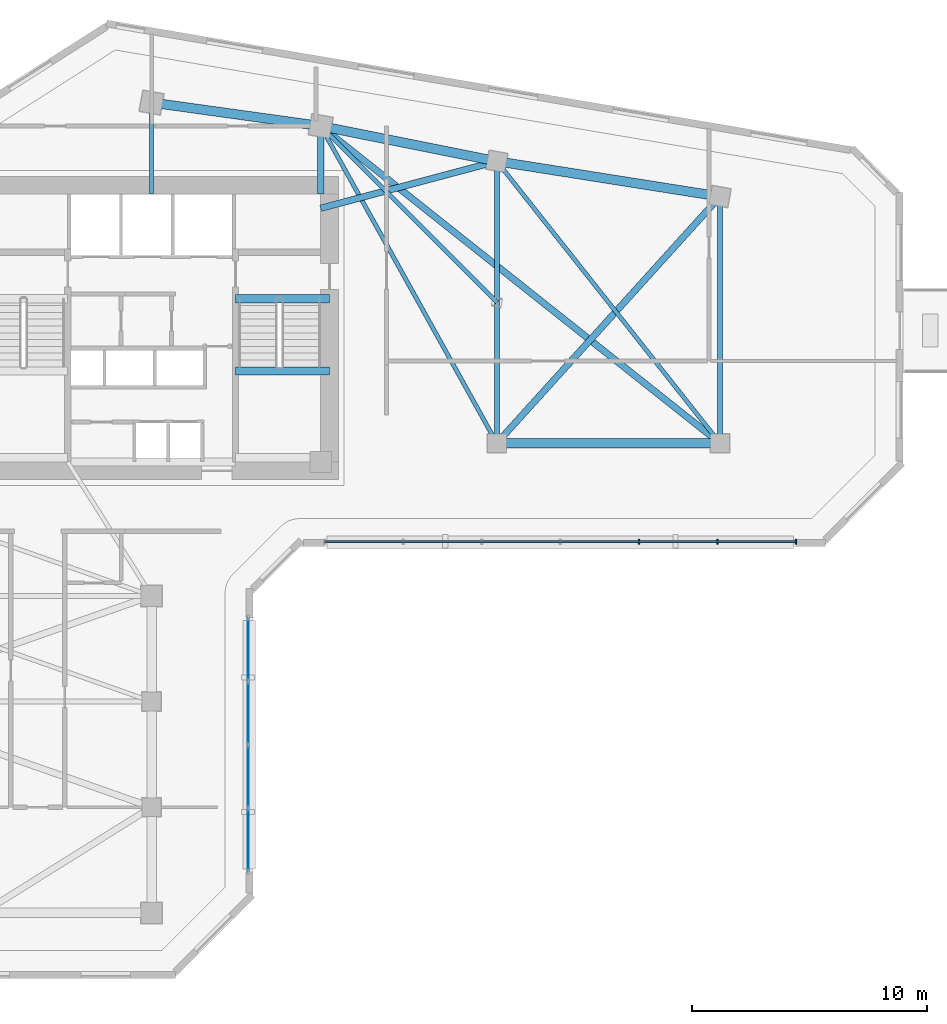
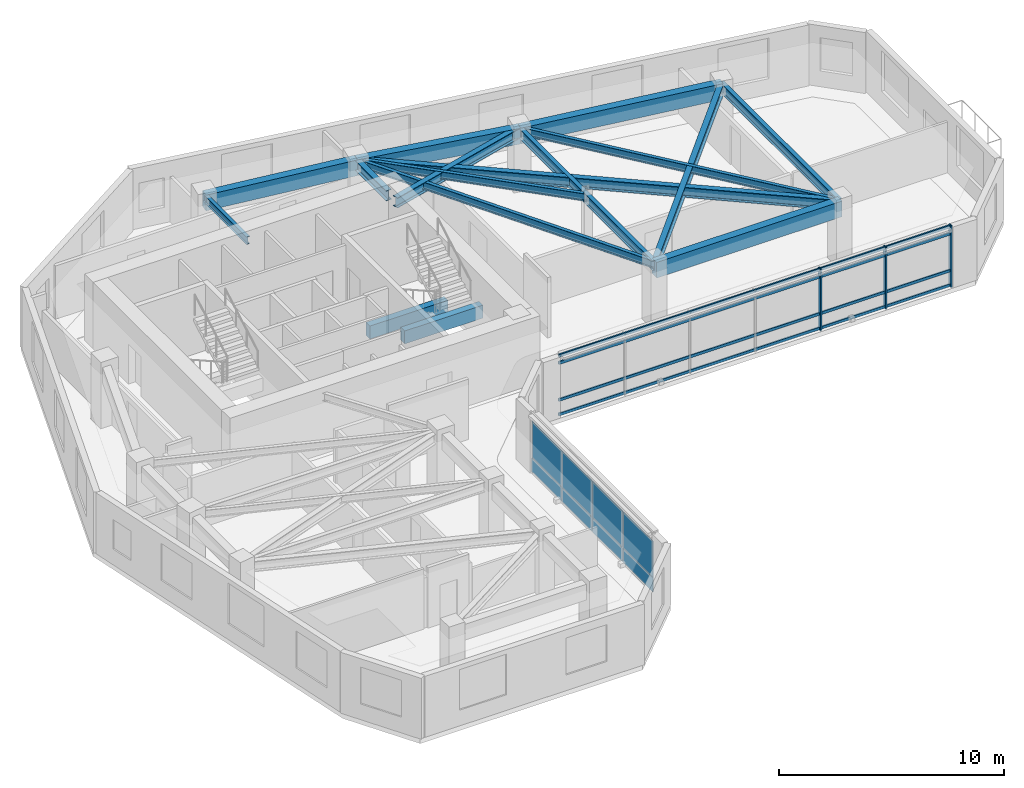
# One storey, part 3 of 10: 16 beams, 8 plates, 7 members, 2 elements without a shape of their own.
"""IFC4 building model written with IfcOpenShell, lengths in metres."""

from ifc_helpers import new_model, si_unit, direction, frame, frame_2d, origin, origin_2d, place, context, subcontext, project, spatial, rectangle, i_section, extrude, source, transform, mapped, material, layer, layer_set, material_profile, profile_set, type_object, element, aggregate, save


model = new_model("IFC4")

# Units and contexts
model_context = context("Model", 3, precision=1e-05, world=origin(), true_north=direction((0.0, 1.0)))
body_context = subcontext(model_context, "Body", "Model", "MODEL_VIEW")
ifc_project = project(units=[si_unit("LENGTHUNIT", "METRE"), si_unit("AREAUNIT", "SQUARE_METRE"), si_unit("VOLUMEUNIT", "CUBIC_METRE"), si_unit("PLANEANGLEUNIT", "RADIAN"), si_unit("MASSUNIT", "GRAM", prefix="KILO")], contexts=[model_context])

# Site, building, storey
site_placement = place(None, origin())
site = spatial("IfcSite", under=ifc_project, at=site_placement, CompositionType="ELEMENT")
building_placement = place(site_placement, origin())
building = spatial("IfcBuilding", under=site, at=building_placement, Name="Calvemar Wedge Station Tower", CompositionType="ELEMENT")
storey_placement = place(building_placement, frame((0.0, 0.0, 168.199951171875)))
storey = spatial("IfcBuildingStorey", under=building, at=storey_placement, Name="L42", CompositionType="ELEMENT", Elevation=168.199951171875)

# Beams
ifc_material_1 = material(Name="Concrete C60", Category="concrete")
ifc_material_profile_1 = material_profile(ifc_material_1, rectangle(XDim=0.39990234375, YDim=0.85009765625, at=origin_2d()), Name="RC400x850")
ifc_profile_set_1 = profile_set([ifc_material_profile_1], Name="Concrete C60")
beam_type_1 = type_object("IfcBeamType", Name="BM-SP1-850", PredefinedType="SPANDREL", material=ifc_profile_set_1)
shared_shape_1 = source(origin(), body_context, "Body", "SweptSolid", [
    extrude(rectangle(XDim=0.39990234375, YDim=0.85009765625, at=origin_2d()), origin(), (0.0, 0.0, 1.0), 7.26904296875),
])
beam_1_placement = place(storey_placement, frame((23.800048828125, 49.5, 2.875), z_axis=(0.990492146053, -0.13756928657, 0.0), x_axis=(0.13756928657, 0.990492146053, 0.0)))
element("IfcBeam", 1, at=beam_1_placement, inside=storey, type_object=beam_type_1, Name="Storey L42 Spandrel T-N1-T-N2", PredefinedType="SPANDREL", context=body_context, shape_type="MappedRepresentation", body=[
    mapped(shared_shape_1, transform((0.0, 0.0, 0.0), scale=1.0)),
])
shared_shape_2 = source(origin(), body_context, "Body", "SweptSolid", [
    extrude(rectangle(XDim=0.39990234375, YDim=0.85009765625, at=origin_2d()), origin(), (0.0, 0.0, 1.0), 7.6484375),
])
beam_2_placement = place(storey_placement, frame((31.0, 48.5, 2.875), z_axis=(0.980580675691, -0.196116135138, 0.0), x_axis=(0.196116135138, 0.980580675691, 0.0)))
element("IfcBeam", 2, at=beam_2_placement, inside=storey, type_object=beam_type_1, Name="Storey L42 Spandrel T-N2-T-NU3", PredefinedType="SPANDREL", context=body_context, shape_type="MappedRepresentation", body=[
    mapped(shared_shape_2, transform((0.0, 0.0, 0.0), scale=1.0)),
])
shared_shape_3 = source(origin(), body_context, "Body", "SweptSolid", [
    extrude(rectangle(XDim=0.39990234375, YDim=0.85009765625, at=origin_2d()), origin(), (0.0, 0.0, 1.0), 9.61767578125),
])
beam_3_placement = place(storey_placement, frame((38.5, 47.0, 2.875), z_axis=(0.987762965329, -0.155962573473, 0.0), x_axis=(0.155962573473, 0.987762965329, 0.0)))
element("IfcBeam", 3, at=beam_3_placement, inside=storey, type_object=beam_type_1, Name="Storey L42 Spandrel T-NU3-T-NU4", PredefinedType="SPANDREL", context=body_context, shape_type="MappedRepresentation", body=[
    mapped(shared_shape_3, transform((0.0, 0.0, 0.0), scale=1.0)),
])
shared_shape_4 = source(origin(), body_context, "Body", "SweptSolid", [
    extrude(rectangle(XDim=0.39990234375, YDim=0.85009765625, at=origin_2d()), origin(), (0.0, 0.0, 1.0), 9.5),
])
beam_4_placement = place(storey_placement, frame((38.5, 35.0, 2.875), z_axis=(1.0, 0.0, 0.0), x_axis=(0.0, 1.0, 0.0)))
element("IfcBeam", 4, at=beam_4_placement, inside=storey, type_object=beam_type_1, Name="Storey L42 Spandrel T-NL2-T-NL3", PredefinedType="SPANDREL", context=body_context, shape_type="MappedRepresentation", body=[
    mapped(shared_shape_4, transform((0.0, 0.0, 0.0), scale=1.0)),
])
ifc_material_2 = material(Name="Structural steel ASTM A572 Grade 50", Category="steel")
ifc_material_profile_2 = material_profile(ifc_material_2, i_section(OverallWidth=0.177978515625, OverallDepth=0.406982421875, WebThickness=0.0078125, FlangeThickness=0.0126953125, FilletRadius=0.010009765625, at=origin_2d()), Name="W410x60")
ifc_profile_set_2 = profile_set([ifc_material_profile_2], Name="Structural steel ASTM A572 Grade 50")
beam_type_2 = type_object("IfcBeamType", Name="BM-J3-W410", PredefinedType="JOIST", material=ifc_profile_set_2)
shared_shape_5 = source(origin(), body_context, "Body", "SweptSolid", [
    extrude(i_section(OverallWidth=0.177978515625, OverallDepth=0.406982421875, WebThickness=0.0078125, FlangeThickness=0.0126953125, FilletRadius=0.010009765625, at=origin_2d()), origin(), (0.0, 0.0, 1.0), 15.443359375),
])
beam_5_placement = place(storey_placement, frame((31.0, 48.5, 3.096435546875), z_axis=(0.485642931179, -0.874157276122, 0.0), x_axis=(0.874157276122, 0.485642931179, 0.0)))
element("IfcBeam", 5, at=beam_5_placement, inside=storey, type_object=beam_type_2, Name="Storey L42 Floor Beam T-N2-T-NL2", PredefinedType="JOIST", context=body_context, shape_type="MappedRepresentation", body=[
    mapped(shared_shape_5, transform((0.0, 0.0, 0.0), scale=1.0)),
])
ifc_material_profile_3 = material_profile(ifc_material_2, i_section(OverallWidth=0.279052734375, OverallDepth=0.553955078125, WebThickness=0.017578125, FlangeThickness=0.029541015625, FilletRadius=0.014892578125, at=origin_2d()), Name="W530x196")
ifc_profile_set_3 = profile_set([ifc_material_profile_3], Name="Structural steel ASTM A572 Grade 50")
beam_type_3 = type_object("IfcBeamType", Name="BM-SB3-W530H", PredefinedType="BEAM", material=ifc_profile_set_3)
shared_shape_6 = source(origin(), body_context, "Body", "SweptSolid", [
    extrude(i_section(OverallWidth=0.279052734375, OverallDepth=0.553955078125, WebThickness=0.017578125, FlangeThickness=0.029541015625, FilletRadius=0.014892578125, at=origin_2d()), origin(), (0.0, 0.0, 1.0), 21.708251953125),
])
beam_6_placement = place(storey_placement, frame((31.0, 48.5, 3.02294921875), z_axis=(0.783110847498, -0.621882143602, 0.0), x_axis=(0.621882143602, 0.783110847498, 0.0)))
element("IfcBeam", 6, at=beam_6_placement, inside=storey, type_object=beam_type_3, Name="Storey L42 Floor Beam T-N2-T-NL3", PredefinedType="BEAM", context=body_context, shape_type="MappedRepresentation", body=[
    mapped(shared_shape_6, transform((0.0, 0.0, 0.0), scale=1.0)),
])
shared_shape_7 = source(origin(), body_context, "Body", "SweptSolid", [
    extrude(i_section(OverallWidth=0.177978515625, OverallDepth=0.406982421875, WebThickness=0.0078125, FlangeThickness=0.0126953125, FilletRadius=0.010009765625, at=origin_2d()), origin(), (0.0, 0.0, 1.0), 15.30517578125),
])
beam_7_placement = place(storey_placement, frame((38.5, 47.0, 3.096435546875), z_axis=(0.620702944366, -0.784045824462, 0.0), x_axis=(0.784045824462, 0.620702944366, 0.0)))
element("IfcBeam", 7, at=beam_7_placement, inside=storey, type_object=beam_type_2, Name="Storey L42 Floor Beam T-NU3-T-NL3", PredefinedType="JOIST", context=body_context, shape_type="MappedRepresentation", body=[
    mapped(shared_shape_7, transform((0.0, 0.0, 0.0), scale=1.0)),
])
shared_shape_8 = source(origin(), body_context, "Body", "SweptSolid", [
    extrude(i_section(OverallWidth=0.279052734375, OverallDepth=0.553955078125, WebThickness=0.017578125, FlangeThickness=0.029541015625, FilletRadius=0.014892578125, at=origin_2d()), origin(), (0.0, 0.0, 1.0), 14.159912109375),
])
beam_8_placement = place(storey_placement, frame((38.5, 35.0, 3.02294921875), z_axis=(0.670913323969, 0.741535779124, 0.0), x_axis=(-0.741535779124, 0.670913323969, 0.0)))
element("IfcBeam", 8, at=beam_8_placement, inside=storey, type_object=beam_type_3, Name="Storey L42 Floor Beam T-NL2-T-NU4", PredefinedType="BEAM", context=body_context, shape_type="MappedRepresentation", body=[
    mapped(shared_shape_8, transform((0.0, 0.0, 0.0), scale=1.0)),
])
shared_shape_9 = source(origin(), body_context, "Body", "SweptSolid", [
    extrude(i_section(OverallWidth=0.279052734375, OverallDepth=0.553955078125, WebThickness=0.017578125, FlangeThickness=0.029541015625, FilletRadius=0.014892578125, at=origin_2d()), origin(), (0.0, 0.0, 1.0), 7.76220703125),
])
beam_9_placement = place(storey_placement, frame((31.0, 45.0, 3.02294921875), z_axis=(0.966234939601, 0.25766265056, 0.0), x_axis=(-0.25766265056, 0.966234939601, 0.0)))
element("IfcBeam", 9, at=beam_9_placement, inside=storey, type_object=beam_type_3, Name="Storey L42 Core-to-Column Joist CJ-E2", PredefinedType="BEAM", context=body_context, shape_type="MappedRepresentation", body=[
    mapped(shared_shape_9, transform((0.0, 0.0, 0.0), scale=1.0)),
])
shared_shape_10 = source(origin(), body_context, "Body", "SweptSolid", [
    extrude(i_section(OverallWidth=0.177978515625, OverallDepth=0.406982421875, WebThickness=0.0078125, FlangeThickness=0.0126953125, FilletRadius=0.010009765625, at=origin_2d()), origin(), (0.0, 0.0, 1.0), 3.89990234375),
])
beam_10_placement = place(storey_placement, frame((23.800048828125, 45.60009765625, 3.096435546875), z_axis=(0.0, 1.0, 0.0), x_axis=(-1.0, 0.0, 0.0)))
element("IfcBeam", 10, at=beam_10_placement, inside=storey, type_object=beam_type_2, Name="Storey L42 Core-to-Column Joist CJ-N1", PredefinedType="JOIST", context=body_context, shape_type="MappedRepresentation", body=[
    mapped(shared_shape_10, transform((0.0, 0.0, 0.0), scale=1.0)),
])
shared_shape_11 = source(origin(), body_context, "Body", "SweptSolid", [
    extrude(i_section(OverallWidth=0.279052734375, OverallDepth=0.553955078125, WebThickness=0.017578125, FlangeThickness=0.029541015625, FilletRadius=0.014892578125, at=origin_2d()), origin(), (0.0, 0.0, 1.0), 2.89990234375),
])
beam_11_placement = place(storey_placement, frame((31.0, 45.60009765625, 3.02294921875), z_axis=(0.0, 1.0, 0.0), x_axis=(-1.0, 0.0, 0.0)))
element("IfcBeam", 11, at=beam_11_placement, inside=storey, type_object=beam_type_3, Name="Storey L42 Core-to-Column Joist CJ-N2", PredefinedType="BEAM", context=body_context, shape_type="MappedRepresentation", body=[
    mapped(shared_shape_11, transform((0.0, 0.0, 0.0), scale=1.0)),
])
ifc_material_3 = material(Name="Concrete C70", Category="concrete")
ifc_material_profile_4 = material_profile(ifc_material_3, rectangle(XDim=0.35009765625, YDim=0.699951171875, at=origin_2d()), Name="RC350x700")
ifc_profile_set_4 = profile_set([ifc_material_profile_4], Name="Concrete C70")
beam_type_4 = type_object("IfcBeamType", Name="BM-LN1-700", PredefinedType="LINTEL", material=ifc_profile_set_4)
shared_shape_12 = source(origin(), body_context, "Body", "SweptSolid", [
    extrude(rectangle(XDim=0.35009765625, YDim=0.699951171875, at=origin_2d()), origin(), (0.0, 0.0, 1.0), 4.0048828125),
])
for number, where, z_axis, x_axis, name in (
    (12, (27.3701171875, 41.14990234375, -0.349853515625), (1.0, 0.0, 0.0), (0.0, 1.0, 0.0), "Storey L42 Stair ST-C2 Landing Trimmer Beam"),
    (13, (27.3701171875, 38.070068359375, 1.25), (1.0, 0.0, 0.0), (0.0, 1.0, 0.0), "Storey L42 Stair ST-C2 Half-Landing Beam 1B"),
):
    element("IfcBeam", number, at=place(storey_placement, frame(where, z_axis=z_axis, x_axis=x_axis)), inside=storey, type_object=beam_type_4, Name=name, PredefinedType="LINTEL", context=body_context, shape_type="MappedRepresentation", body=[
        mapped(shared_shape_12, transform((0.0, 0.0, 0.0), scale=1.0)),
    ])
ifc_material_profile_5 = material_profile(ifc_material_2, i_section(OverallWidth=0.2109375, OverallDepth=0.5390625, WebThickness=0.01171875, FlangeThickness=0.018798828125, FilletRadius=0.012939453125, at=origin_2d()), Name="W530x109")
ifc_profile_set_5 = profile_set([ifc_material_profile_5], Name="Structural steel ASTM A572 Grade 50")
beam_type_5 = type_object("IfcBeamType", Name="BM-SB4-W530", PredefinedType="BEAM", material=ifc_profile_set_5)
shared_shape_13 = source(origin(), body_context, "Body", "SweptSolid", [
    extrude(i_section(OverallWidth=0.2109375, OverallDepth=0.5390625, WebThickness=0.01171875, FlangeThickness=0.018798828125, FilletRadius=0.012939453125, at=origin_2d()), origin(), (0.0, 0.0, 1.0), 12.0),
])
beam_12_placement = place(storey_placement, frame((38.5, 47.0, 3.030517578125), z_axis=(0.0, -1.0, 0.0), x_axis=(1.0, 0.0, 0.0)))
element("IfcBeam", 14, at=beam_12_placement, inside=storey, type_object=beam_type_5, Name="Storey L42 Floor Beam T-NU3-T-NL2", PredefinedType="BEAM", context=body_context, shape_type="MappedRepresentation", body=[
    mapped(shared_shape_13, transform((0.0, 0.0, 0.0), scale=1.0)),
])
shared_shape_14 = source(origin(), body_context, "Body", "SweptSolid", [
    extrude(i_section(OverallWidth=0.2109375, OverallDepth=0.5390625, WebThickness=0.01171875, FlangeThickness=0.018798828125, FilletRadius=0.012939453125, at=origin_2d()), origin(), (0.0, 0.0, 1.0), 10.5),
])
beam_13_placement = place(storey_placement, frame((48.0, 45.5, 3.030517578125), z_axis=(0.0, -1.0, 0.0), x_axis=(1.0, 0.0, 0.0)))
element("IfcBeam", 15, at=beam_13_placement, inside=storey, type_object=beam_type_5, Name="Storey L42 Floor Beam T-NU4-T-NL3", PredefinedType="BEAM", context=body_context, shape_type="MappedRepresentation", body=[
    mapped(shared_shape_14, transform((0.0, 0.0, 0.0), scale=1.0)),
])
shared_shape_15 = source(origin(), body_context, "Body", "SweptSolid", [
    extrude(i_section(OverallWidth=0.177978515625, OverallDepth=0.406982421875, WebThickness=0.0078125, FlangeThickness=0.0126953125, FilletRadius=0.010009765625, at=origin_2d()), origin(), (0.0, 0.0, 1.0), 10.606689453125),
])
beam_14_placement = place(storey_placement, frame((38.5, 41.0, 3.096435546875), z_axis=(-0.707106781187, 0.707106781187, 0.0), x_axis=(-0.707106781187, -0.707106781187, 0.0)))
element("IfcBeam", 16, at=beam_14_placement, inside=storey, type_object=beam_type_2, Name="Storey L42 Floor Beam T-NTIP-B-T-N2", PredefinedType="JOIST", context=body_context, shape_type="MappedRepresentation", body=[
    mapped(shared_shape_15, transform((0.0, 0.0, 0.0), scale=1.0)),
])

# Curtain wall, members
ifc_material_4 = material(Name="Anodised aluminium 6063-T6", Category="aluminium")
curtain_wall_type = type_object("IfcCurtainWallType", Name="CW2", PredefinedType="NOTDEFINED", material=ifc_material_4)
curtain_wall_1_placement = place(storey_placement, origin())
curtain_wall_1 = element("IfcCurtainWall", 17, at=curtain_wall_1_placement, inside=storey, type_object=curtain_wall_type, Name="Storey L42 CW2 Recessed Unitised Curtain Wall 6", PredefinedType="NOTDEFINED")
ifc_material_profile_6 = material_profile(ifc_material_4, rectangle(XDim=0.074951171875, YDim=0.219970703125, at=origin_2d()), Name="AL-MUL-75x220")
ifc_profile_set_6 = profile_set([ifc_material_profile_6], Name="Anodised aluminium 6063-T6")
member_type_1 = type_object("IfcMemberType", Name="CW2-MUL", PredefinedType="MULLION", material=ifc_profile_set_6)
shared_shape_16 = source(origin(), body_context, "Body", "SweptSolid", [
    extrude(rectangle(XDim=0.074951171875, YDim=0.219970703125, at=origin_2d()), origin(), (0.0, 0.0, 1.0), 3.35009765625),
])
member_1_placement = place(storey_placement, frame((44.547119140625, 30.802001953125, -0.050048828125), z_axis=(0.0, 0.0, 1.0), x_axis=(1.0, 0.0, 0.0)))
member_1 = element("IfcMember", 18, at=member_1_placement, type_object=member_type_1, Name="CW2 mullion 5", PredefinedType="MULLION", context=body_context, shape_type="MappedRepresentation", body=[
    mapped(shared_shape_16, transform((0.0, 0.0, 0.0), scale=1.0)),
])
member_2_placement = place(storey_placement, frame((47.892578125, 30.802001953125, -0.050048828125), z_axis=(0.0, 0.0, 1.0), x_axis=(1.0, 0.0, 0.0)))
member_2 = element("IfcMember", 19, at=member_2_placement, type_object=member_type_1, Name="CW2 mullion 6", PredefinedType="MULLION", context=body_context, shape_type="MappedRepresentation", body=[
    mapped(shared_shape_16, transform((0.0, 0.0, 0.0), scale=1.0)),
])
member_3_placement = place(storey_placement, frame((51.23779296875, 30.802001953125, -0.050048828125), z_axis=(0.0, 0.0, 1.0), x_axis=(1.0, 0.0, 0.0)))
member_3 = element("IfcMember", 20, at=member_3_placement, type_object=member_type_1, Name="CW2 mullion 7", PredefinedType="MULLION", context=body_context, shape_type="MappedRepresentation", body=[
    mapped(shared_shape_16, transform((0.0, 0.0, 0.0), scale=1.0)),
])
ifc_material_profile_7 = material_profile(ifc_material_4, rectangle(XDim=0.074951171875, YDim=0.14990234375, at=origin_2d()), Name="AL-TRN-75x150")
ifc_profile_set_7 = profile_set([ifc_material_profile_7], Name="Anodised aluminium 6063-T6")
member_type_2 = type_object("IfcMemberType", Name="CW2-TRN", PredefinedType="USERDEFINED", material=ifc_profile_set_7)
shared_shape_17 = source(origin(), body_context, "Body", "SweptSolid", [
    extrude(rectangle(XDim=0.074951171875, YDim=0.14990234375, at=origin_2d()), origin(), (0.0, 0.0, 1.0), 20.07177734375),
])
member_4_placement = place(storey_placement, frame((31.166015625, 30.802001953125, 0.06005859375), z_axis=(1.0, 0.0, 0.0), x_axis=(0.0, 1.0, 0.0)))
member_4 = element("IfcMember", 21, at=member_4_placement, type_object=member_type_2, Name="CW2 transom 1", ObjectType="TRANSOM", PredefinedType="USERDEFINED", context=body_context, shape_type="MappedRepresentation", body=[
    mapped(shared_shape_17, transform((0.0, 0.0, 0.0), scale=1.0)),
])
member_5_placement = place(storey_placement, frame((31.166015625, 30.802001953125, 0.85009765625), z_axis=(1.0, 0.0, 0.0), x_axis=(0.0, 1.0, 0.0)))
member_5 = element("IfcMember", 22, at=member_5_placement, type_object=member_type_2, Name="CW2 transom 2", ObjectType="TRANSOM", PredefinedType="USERDEFINED", context=body_context, shape_type="MappedRepresentation", body=[
    mapped(shared_shape_17, transform((0.0, 0.0, 0.0), scale=1.0)),
])
member_6_placement = place(storey_placement, frame((31.166015625, 30.802001953125, 2.85009765625), z_axis=(1.0, 0.0, 0.0), x_axis=(0.0, 1.0, 0.0)))
member_6 = element("IfcMember", 23, at=member_6_placement, type_object=member_type_2, Name="CW2 transom 3", ObjectType="TRANSOM", PredefinedType="USERDEFINED", context=body_context, shape_type="MappedRepresentation", body=[
    mapped(shared_shape_17, transform((0.0, 0.0, 0.0), scale=1.0)),
])
member_7_placement = place(storey_placement, frame((31.166015625, 30.802001953125, 3.239990234375), z_axis=(1.0, 0.0, 0.0), x_axis=(0.0, 1.0, 0.0)))
member_7 = element("IfcMember", 24, at=member_7_placement, type_object=member_type_2, Name="CW2 transom 4", ObjectType="TRANSOM", PredefinedType="USERDEFINED", context=body_context, shape_type="MappedRepresentation", body=[
    mapped(shared_shape_17, transform((0.0, 0.0, 0.0), scale=1.0)),
])
aggregate(curtain_wall_1, [member_1, member_2, member_3, member_4, member_5, member_6, member_7])

# Curtain wall, plates
curtain_wall_2_placement = place(storey_placement, origin())
curtain_wall_2 = element("IfcCurtainWall", 25, at=curtain_wall_2_placement, inside=storey, type_object=curtain_wall_type, Name="Storey L42 CW2 Recessed Unitised Curtain Wall 4", PredefinedType="NOTDEFINED")
ifc_material_5 = material(Name="Low-E laminated insulated glass", Category="glass")
ifc_layer_1 = layer(ifc_material_5, 0.028076171875)
ifc_layer_set_1 = layer_set([ifc_layer_1], Name="Low-E laminated insulated glass")
plate_type_1 = type_object("IfcPlateType", Name="CW2-GLZ", PredefinedType="CURTAIN_PANEL", material=ifc_layer_set_1)
plate_1_placement = place(storey_placement, frame((27.91796875, 16.780029296875, 0.8701171875), z_axis=(0.0, 0.0, 1.0), x_axis=(0.0, 1.0, 0.0)))
plate_1 = element("IfcPlate", 26, at=plate_1_placement, type_object=plate_type_1, Name="CW2 vision glass panel 1", PredefinedType="CURTAIN_PANEL", context=body_context, shape_type="SweptSolid", body=[
    extrude(rectangle(XDim=2.662109375, YDim=0.028076171875, at=frame_2d((1.3310546875, 0.0))), origin(), (0.0, 0.0, 1.0), 1.9599609375),
])
plate_2_placement = place(storey_placement, frame((27.91796875, 19.47802734375, 0.8701171875), z_axis=(0.0, 0.0, 1.0), x_axis=(0.0, 1.0, 0.0)))
plate_2 = element("IfcPlate", 27, at=plate_2_placement, type_object=plate_type_1, Name="CW2 vision glass panel 2", PredefinedType="CURTAIN_PANEL", context=body_context, shape_type="SweptSolid", body=[
    extrude(rectangle(XDim=2.662109375, YDim=0.028076171875, at=frame_2d((1.3310546875, 0.0))), origin(), (0.0, 0.0, 1.0), 1.9599609375),
])
plate_3_placement = place(storey_placement, frame((27.91796875, 22.176025390625, 0.8701171875), z_axis=(0.0, 0.0, 1.0), x_axis=(0.0, 1.0, 0.0)))
plate_3 = element("IfcPlate", 28, at=plate_3_placement, type_object=plate_type_1, Name="CW2 vision glass panel 3", PredefinedType="CURTAIN_PANEL", context=body_context, shape_type="SweptSolid", body=[
    extrude(rectangle(XDim=2.662109375, YDim=0.028076171875, at=frame_2d((1.3310546875, 0.0))), origin(), (0.0, 0.0, 1.0), 1.9599609375),
])
plate_4_placement = place(storey_placement, frame((27.91796875, 24.8740234375, 0.8701171875), z_axis=(0.0, 0.0, 1.0), x_axis=(0.0, 1.0, 0.0)))
plate_4 = element("IfcPlate", 29, at=plate_4_placement, type_object=plate_type_1, Name="CW2 vision glass panel 4", PredefinedType="CURTAIN_PANEL", context=body_context, shape_type="SweptSolid", body=[
    extrude(rectangle(XDim=2.662109375, YDim=0.028076171875, at=frame_2d((1.3310546875, 0.0))), origin(), (0.0, 0.0, 1.0), 1.9599609375),
])
ifc_material_6 = material(Name="Oxidized bronze aluminium spandrel panel 5005-H24", Category="aluminium")
ifc_layer_2 = layer(ifc_material_6, 0.0400390625)
ifc_layer_set_2 = layer_set([ifc_layer_2], Name="Oxidized bronze aluminium spandrel panel 5005-H24")
plate_type_2 = type_object("IfcPlateType", Name="CW2-SPD", PredefinedType="SHEET", material=ifc_layer_set_2)
plate_5_placement = place(storey_placement, frame((27.91796875, 16.780029296875, 0.080078125), z_axis=(0.0, 0.0, 1.0), x_axis=(0.0, 1.0, 0.0)))
plate_5 = element("IfcPlate", 30, at=plate_5_placement, type_object=plate_type_2, Name="CW2 bronze spandrel panel 1", PredefinedType="SHEET", context=body_context, shape_type="SweptSolid", body=[
    extrude(rectangle(XDim=2.662109375, YDim=0.0400390625, at=frame_2d((1.3310546875, 0.0))), origin(), (0.0, 0.0, 1.0), 0.75),
])
plate_6_placement = place(storey_placement, frame((27.91796875, 19.47802734375, 0.080078125), z_axis=(0.0, 0.0, 1.0), x_axis=(0.0, 1.0, 0.0)))
plate_6 = element("IfcPlate", 31, at=plate_6_placement, type_object=plate_type_2, Name="CW2 bronze spandrel panel 2", PredefinedType="SHEET", context=body_context, shape_type="SweptSolid", body=[
    extrude(rectangle(XDim=2.662109375, YDim=0.0400390625, at=frame_2d((1.3310546875, 0.0))), origin(), (0.0, 0.0, 1.0), 0.75),
])
plate_7_placement = place(storey_placement, frame((27.91796875, 22.176025390625, 0.080078125), z_axis=(0.0, 0.0, 1.0), x_axis=(0.0, 1.0, 0.0)))
plate_7 = element("IfcPlate", 32, at=plate_7_placement, type_object=plate_type_2, Name="CW2 bronze spandrel panel 3", PredefinedType="SHEET", context=body_context, shape_type="SweptSolid", body=[
    extrude(rectangle(XDim=2.662109375, YDim=0.0400390625, at=frame_2d((1.3310546875, 0.0))), origin(), (0.0, 0.0, 1.0), 0.75),
])
plate_8_placement = place(storey_placement, frame((27.91796875, 24.8740234375, 0.080078125), z_axis=(0.0, 0.0, 1.0), x_axis=(0.0, 1.0, 0.0)))
plate_8 = element("IfcPlate", 33, at=plate_8_placement, type_object=plate_type_2, Name="CW2 bronze spandrel panel 4", PredefinedType="SHEET", context=body_context, shape_type="SweptSolid", body=[
    extrude(rectangle(XDim=2.662109375, YDim=0.0400390625, at=frame_2d((1.3310546875, 0.0))), origin(), (0.0, 0.0, 1.0), 0.75),
])
aggregate(curtain_wall_2, [plate_5, plate_1, plate_6, plate_2, plate_7, plate_3, plate_8, plate_4])

save(model, "model.ifc")
